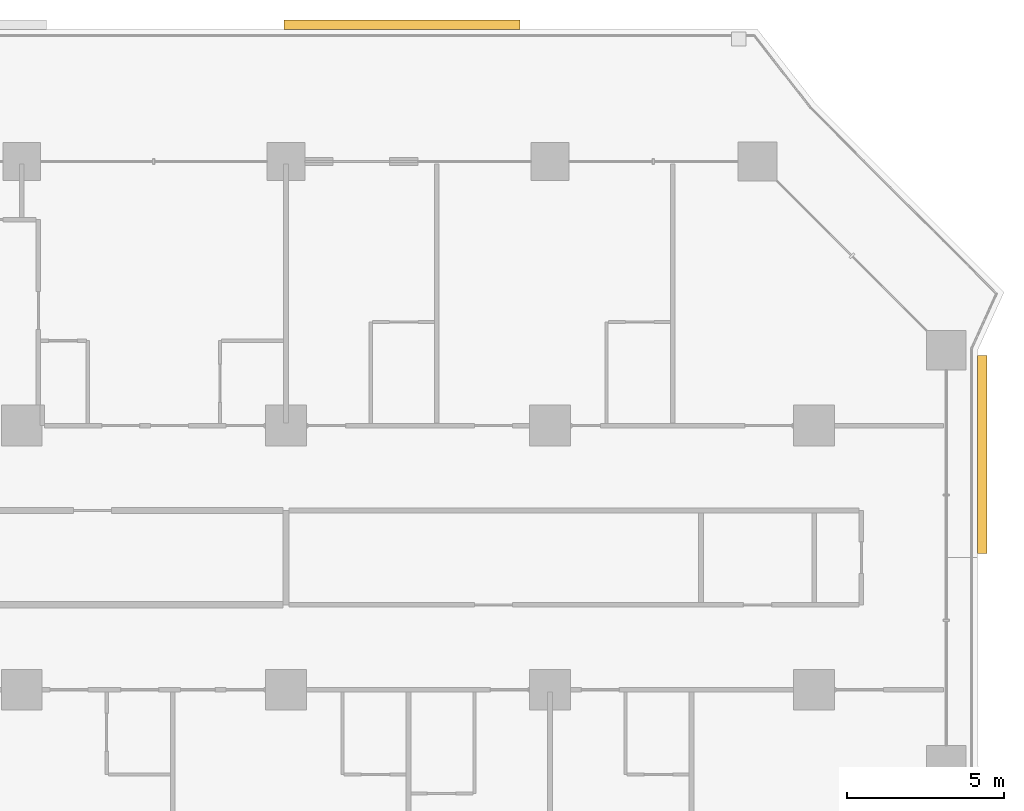
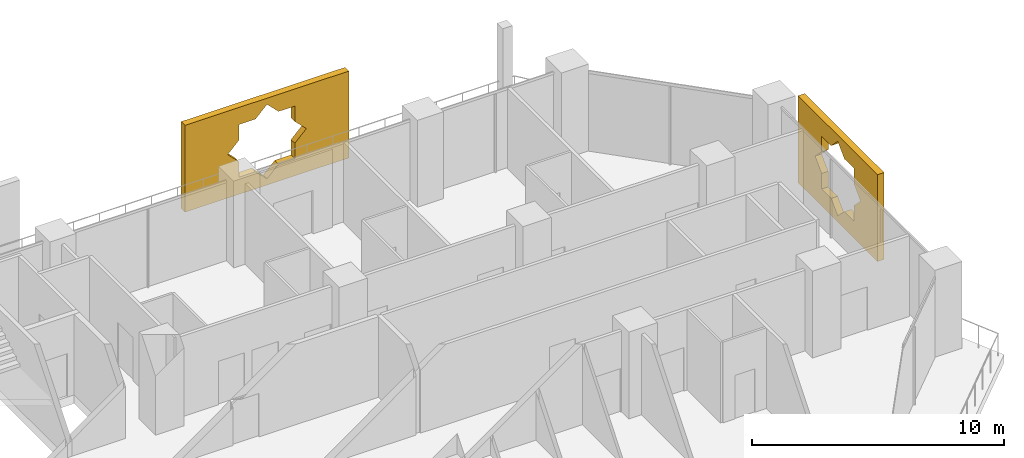
# One storey, part 26 of 26: 2 coverings.
"""IFC4 building model written with IfcOpenShell, lengths in metres."""

from ifc_helpers import new_model, si_unit, direction, frame, origin, place, context, subcontext, project, spatial, polyline, outline, extrude, material, material_profile, profile_set, type_object, element, save


model = new_model("IFC4")

# Units and contexts
model_context = context("Model", 3, precision=1e-05, world=origin(), true_north=direction((0.0, 1.0)))
body_context = subcontext(model_context, "Body", "Model", "MODEL_VIEW")
ifc_project = project(units=[si_unit("LENGTHUNIT", "METRE"), si_unit("AREAUNIT", "SQUARE_METRE"), si_unit("VOLUMEUNIT", "CUBIC_METRE"), si_unit("PLANEANGLEUNIT", "RADIAN"), si_unit("MASSUNIT", "GRAM", prefix="KILO")], contexts=[model_context])

# Site, building, storey
site_placement = place(None, origin())
site = spatial("IfcSite", under=ifc_project, at=site_placement, CompositionType="ELEMENT")
building_placement = place(site_placement, origin())
building = spatial("IfcBuilding", under=site, at=building_placement, Name="Kawkab Arch Medical Tower", CompositionType="ELEMENT")
storey_placement = place(building_placement, frame((0.0, 0.0, 51.800048828125)))
storey = spatial("IfcBuildingStorey", under=building, at=storey_placement, Name="L11", CompositionType="ELEMENT", Elevation=51.800048828125)

# Coverings
ifc_material_1 = material(Name="Bronze anodised aluminium mashrabiya panel, eight-point star pattern", Category="aluminium")
ifc_material_profile_1 = material_profile(ifc_material_1, outline(polyline([(-3.14990234375, -2.10009765625), (3.14990234375, -2.10009765625), (3.14990234375, 2.10009765625), (-3.14990234375, 2.10009765625), (-3.14990234375, -2.10009765625)]), holes=[polyline([(1.800048828125, 0.0), (1.272705078125, 0.527099609375), (1.272705078125, 1.272705078125), (0.527099609375, 1.272705078125), (0.0, 1.800048828125), (-0.527099609375, 1.272705078125), (-1.272705078125, 1.272705078125), (-1.272705078125, 0.527099609375), (-1.800048828125, 0.0), (-1.272705078125, -0.527099609375), (-1.272705078125, -1.272705078125), (-0.527099609375, -1.272705078125), (0.0, -1.800048828125), (0.527099609375, -1.272705078125), (1.272705078125, -1.272705078125), (1.272705078125, -0.527099609375), (1.800048828125, 0.0)])]), Name="Mashrabiya panel 6300x4200")
ifc_profile_set_1 = profile_set([ifc_material_profile_1], Name="Bronze anodised aluminium mashrabiya panel, eight-point star pattern")
covering_type_1 = type_object("IfcCoveringType", Name="Mashrabiya panel 6300 x 4200", PredefinedType="USERDEFINED", material=ifc_profile_set_1)
covering_1_placement = place(storey_placement, frame((80.800048828125, -9.31884765625, 1.699951171875), z_axis=(1.0, 0.0, 0.0), x_axis=(0.0, 1.0, 0.0)))
element("IfcCovering", 1, at=covering_1_placement, inside=storey, type_object=covering_type_1, Name="Mashrabiya panel L11.LOG-01-01.9", ObjectType="SCREEN", PredefinedType="USERDEFINED", context=body_context, shape_type="SweptSolid", body=[
    extrude(outline(polyline([(-3.14990234375, -2.10009765625), (3.14990234375, -2.10009765625), (3.14990234375, 2.10009765625), (-3.14990234375, 2.10009765625), (-3.14990234375, -2.10009765625)]), holes=[polyline([(1.800048828125, 0.0), (1.272705078125, 0.527099609375), (1.272705078125, 1.272705078125), (0.527099609375, 1.272705078125), (0.0, 1.800048828125), (-0.527099609375, 1.272705078125), (-1.272705078125, 1.272705078125), (-1.272705078125, 0.527099609375), (-1.800048828125, 0.0), (-1.272705078125, -0.527099609375), (-1.272705078125, -1.272705078125), (-0.527099609375, -1.272705078125), (0.0, -1.800048828125), (0.527099609375, -1.272705078125), (1.272705078125, -1.272705078125), (1.272705078125, -0.527099609375), (1.800048828125, 0.0)])]), origin(), (0.0, 0.0, 1.0), 0.300048828125),
])
ifc_material_2 = material(Name="Bronze anodised aluminium mashrabiya panel, eight-point star pattern", Category="aluminium")
ifc_material_profile_2 = material_profile(ifc_material_2, outline(polyline([(-3.75, -2.10009765625), (3.75, -2.10009765625), (3.75, 2.10009765625), (-3.75, 2.10009765625), (-3.75, -2.10009765625)]), holes=[polyline([(1.800048828125, 0.0), (1.272705078125, 0.527099609375), (1.272705078125, 1.272705078125), (0.527099609375, 1.272705078125), (0.0, 1.800048828125), (-0.527099609375, 1.272705078125), (-1.272705078125, 1.272705078125), (-1.272705078125, 0.527099609375), (-1.800048828125, 0.0), (-1.272705078125, -0.527099609375), (-1.272705078125, -1.272705078125), (-0.527099609375, -1.272705078125), (0.0, -1.800048828125), (0.527099609375, -1.272705078125), (1.272705078125, -1.272705078125), (1.272705078125, -0.527099609375), (1.800048828125, 0.0)])]), Name="Mashrabiya panel 7500x4200")
ifc_profile_set_2 = profile_set([ifc_material_profile_2], Name="Bronze anodised aluminium mashrabiya panel, eight-point star pattern")
covering_type_2 = type_object("IfcCoveringType", Name="Mashrabiya panel 7500 x 4200", PredefinedType="USERDEFINED", material=ifc_profile_set_2)
covering_2_placement = place(storey_placement, frame((62.49658203125, 4.199951171875, 1.699951171875), z_axis=(0.0, 1.0, 0.0), x_axis=(-1.0, 0.0, 0.0)))
element("IfcCovering", 2, at=covering_2_placement, inside=storey, type_object=covering_type_2, Name="Mashrabiya panel L11.LOG-01-01.8", ObjectType="SCREEN", PredefinedType="USERDEFINED", context=body_context, shape_type="SweptSolid", body=[
    extrude(outline(polyline([(-3.75, -2.10009765625), (3.75, -2.10009765625), (3.75, 2.10009765625), (-3.75, 2.10009765625), (-3.75, -2.10009765625)]), holes=[polyline([(1.800048828125, 0.0), (1.272705078125, 0.527099609375), (1.272705078125, 1.272705078125), (0.527099609375, 1.272705078125), (0.0, 1.800048828125), (-0.527099609375, 1.272705078125), (-1.272705078125, 1.272705078125), (-1.272705078125, 0.527099609375), (-1.800048828125, 0.0), (-1.272705078125, -0.527099609375), (-1.272705078125, -1.272705078125), (-0.527099609375, -1.272705078125), (0.0, -1.800048828125), (0.527099609375, -1.272705078125), (1.272705078125, -1.272705078125), (1.272705078125, -0.527099609375), (1.800048828125, 0.0)])]), origin(), (0.0, 0.0, 1.0), 0.300048828125),
])

save(model, "model.ifc")
